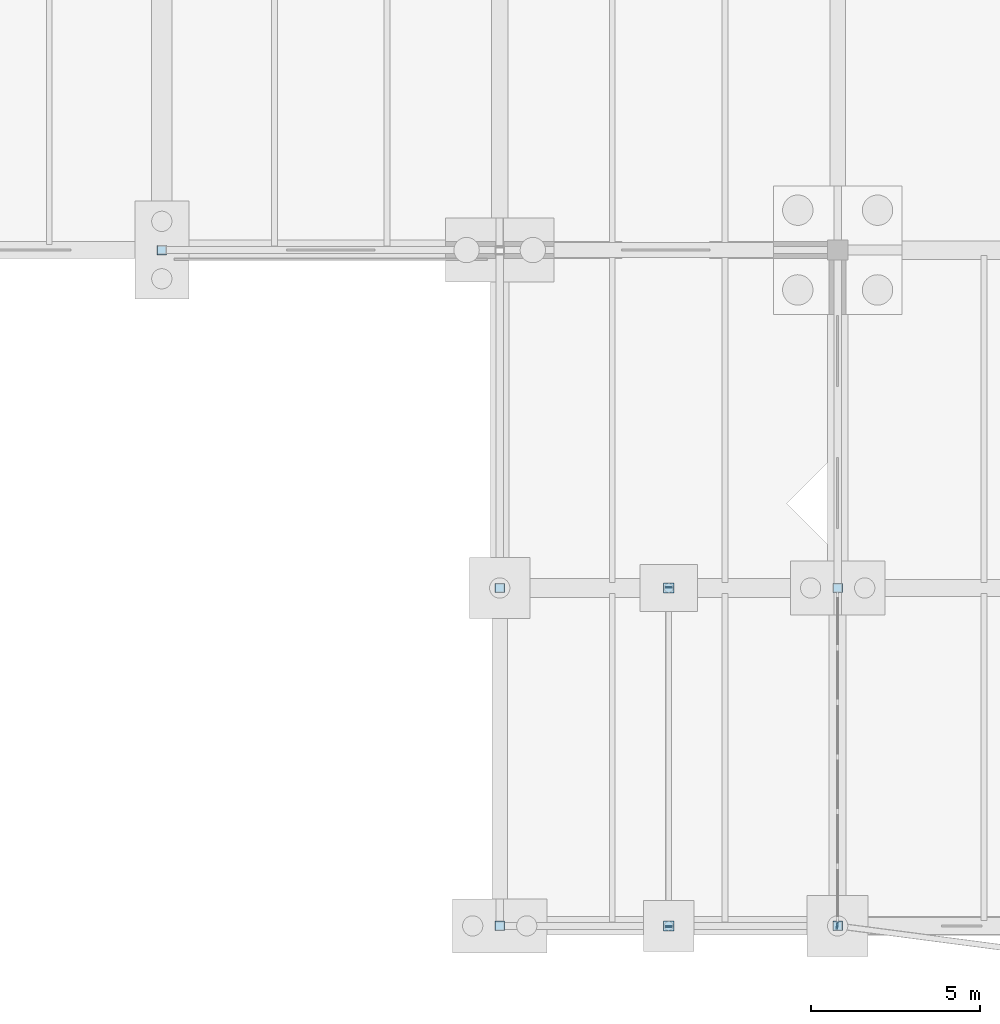
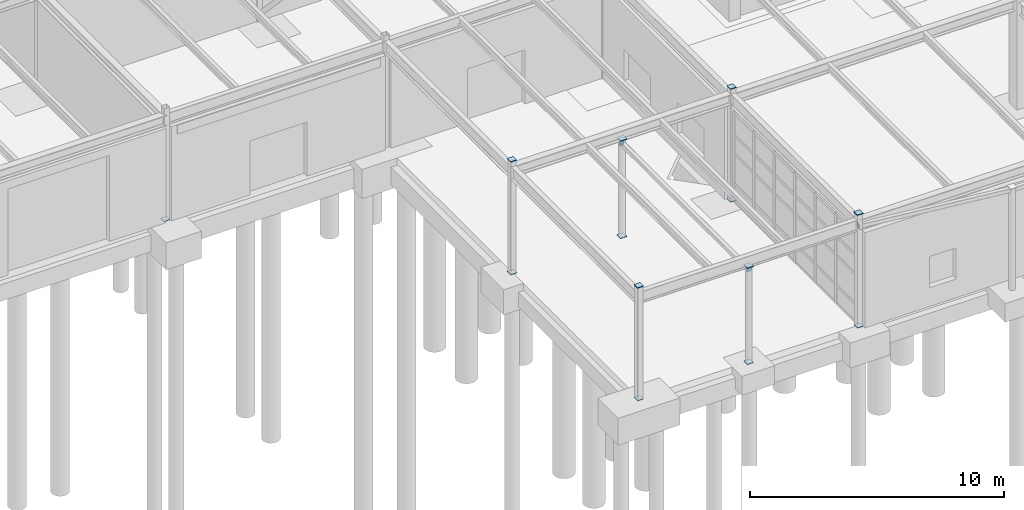
# One storey, part 106 of 145: 16 plates.
"""IFC4 building model written with IfcOpenShell, lengths in metres."""

from ifc_helpers import new_model, si_unit, direction, frame, origin, origin_2d, place, context, subcontext, project, spatial, rectangle, extrude, material, layer, layer_set, type_object, element, save


model = new_model("IFC4")

# Units and contexts
model_context = context("Model", 3, precision=1e-05, world=origin(), true_north=direction((0.0, 1.0)))
body_context = subcontext(model_context, "Body", "Model", "MODEL_VIEW")
ifc_project = project(units=[si_unit("LENGTHUNIT", "METRE"), si_unit("AREAUNIT", "SQUARE_METRE"), si_unit("VOLUMEUNIT", "CUBIC_METRE"), si_unit("PLANEANGLEUNIT", "RADIAN"), si_unit("MASSUNIT", "GRAM", prefix="KILO"), si_unit("THERMODYNAMICTEMPERATUREUNIT", "KELVIN"), si_unit("POWERUNIT", "WATT")], contexts=[model_context])

# Site, building, storey
site_placement = place(None, origin())
site = spatial("IfcSite", under=ifc_project, at=site_placement, CompositionType="ELEMENT")
building_placement = place(site_placement, origin())
building = spatial("IfcBuilding", under=site, at=building_placement, Name="Korenveer Ferry Terminal", CompositionType="ELEMENT")
storey_placement = place(building_placement, origin())
storey = spatial("IfcBuildingStorey", under=building, at=storey_placement, Name="L00", CompositionType="ELEMENT", Elevation=0.0)

# Plates
ifc_material = material(Name="Steel S355", Category="steel")
ifc_layer = layer(ifc_material, 0.031982421875)
ifc_layer_set = layer_set([ifc_layer], Name="Steel S355")
plate_type = type_object("IfcPlateType", Name="STR-PLT-CAP32", PredefinedType="USERDEFINED", material=ifc_layer_set)
for number, where, z_axis, x_axis, name in (
    (1, (103.0, 20.0, -0.0322265625), (0.0, 0.0, 1.0), (1.0, 0.0, 0.0), "Hollow section end cap 27"),
    (2, (113.0, 0.0, -0.0322265625), (0.0, 0.0, 1.0), (1.0, 0.0, 0.0), "Hollow section end cap 30"),
    (3, (113.0, 0.0, 5.39990234375), (0.0, 0.0, 1.0), (1.0, 0.0, 0.0), "Hollow section end cap 31"),
    (4, (113.0, 10.0, -0.0322265625), (0.0, 0.0, 1.0), (1.0, 0.0, 0.0), "Hollow section end cap 32"),
    (5, (113.0, 10.0, 5.39990234375), (0.0, 0.0, 1.0), (1.0, 0.0, 0.0), "Hollow section end cap 33"),
    (6, (123.0, 0.0, -0.0322265625), (0.0, 0.0, 1.0), (1.0, 0.0, 0.0), "Hollow section end cap 37"),
    (7, (123.0, 0.0, 5.39990234375), (0.0, 0.0, 1.0), (1.0, 0.0, 0.0), "Hollow section end cap 38"),
    (8, (123.0, 10.0, -0.0322265625), (0.0, 0.0, 1.0), (1.0, 0.0, 0.0), "Hollow section end cap 39"),
    (9, (123.0, 10.0, 5.39990234375), (0.0, 0.0, 1.0), (1.0, 0.0, 0.0), "Hollow section end cap 40"),
):
    element("IfcPlate", number, at=place(storey_placement, frame(where, z_axis=z_axis, x_axis=x_axis)), inside=storey, type_object=plate_type, Name=name, ObjectType="END CAP PLATE", PredefinedType="USERDEFINED", context=body_context, shape_type="SweptSolid", body=[
        extrude(rectangle(XDim=0.280029296875, YDim=0.280029296875, at=origin_2d()), origin(), (0.0, 0.0, 1.0), 0.031982421875),
    ])
for number, where, z_axis, x_axis, name in (
    (10, (118.0, 0.0, -0.0322265625), (0.0, 0.0, 1.0), (1.0, 0.0, 0.0), "Hollow section end cap 542"),
    (11, (118.0, 0.0, 4.60986328125), (0.0, 0.0, 1.0), (1.0, 0.0, 0.0), "Hollow section end cap 543"),
    (12, (118.0, 10.0, -0.0322265625), (0.0, 0.0, 1.0), (1.0, 0.0, 0.0), "Hollow section end cap 544"),
    (13, (118.0, 10.0, 4.66015625), (0.0, 0.0, 1.0), (1.0, 0.0, 0.0), "Hollow section end cap 545"),
):
    element("IfcPlate", number, at=place(storey_placement, frame(where, z_axis=z_axis, x_axis=x_axis)), inside=storey, type_object=plate_type, Name=name, ObjectType="END CAP PLATE", PredefinedType="USERDEFINED", context=body_context, shape_type="SweptSolid", body=[
        extrude(rectangle(XDim=0.302978515625, YDim=0.302978515625, at=origin_2d()), origin(), (0.0, 0.0, 1.0), 0.031982421875),
    ])
for number, where, z_axis, x_axis, name in (
    (14, (118.0, -0.0322265625, 4.449951171875), (0.0, 1.0, 0.0), (-1.0, 0.0, 0.0), "Hollow section end cap 558"),
    (15, (118.0, 10.0, 4.449951171875), (0.0, 1.0, 0.0), (-1.0, 0.0, 0.0), "Hollow section end cap 559"),
    (16, (122.96826171875, 0.00390625, 4.800048828125), (0.991557825803, -0.129665253974, 0.0), (0.129665253974, 0.991557825803, 0.0), "Hollow section end cap 562"),
):
    element("IfcPlate", number, at=place(storey_placement, frame(where, z_axis=z_axis, x_axis=x_axis)), inside=storey, type_object=plate_type, Name=name, ObjectType="END CAP PLATE", PredefinedType="USERDEFINED", context=body_context, shape_type="SweptSolid", body=[
        extrude(rectangle(XDim=0.2099609375, YDim=0.2099609375, at=origin_2d()), origin(), (0.0, 0.0, 1.0), 0.031982421875),
    ])

save(model, "model.ifc")
